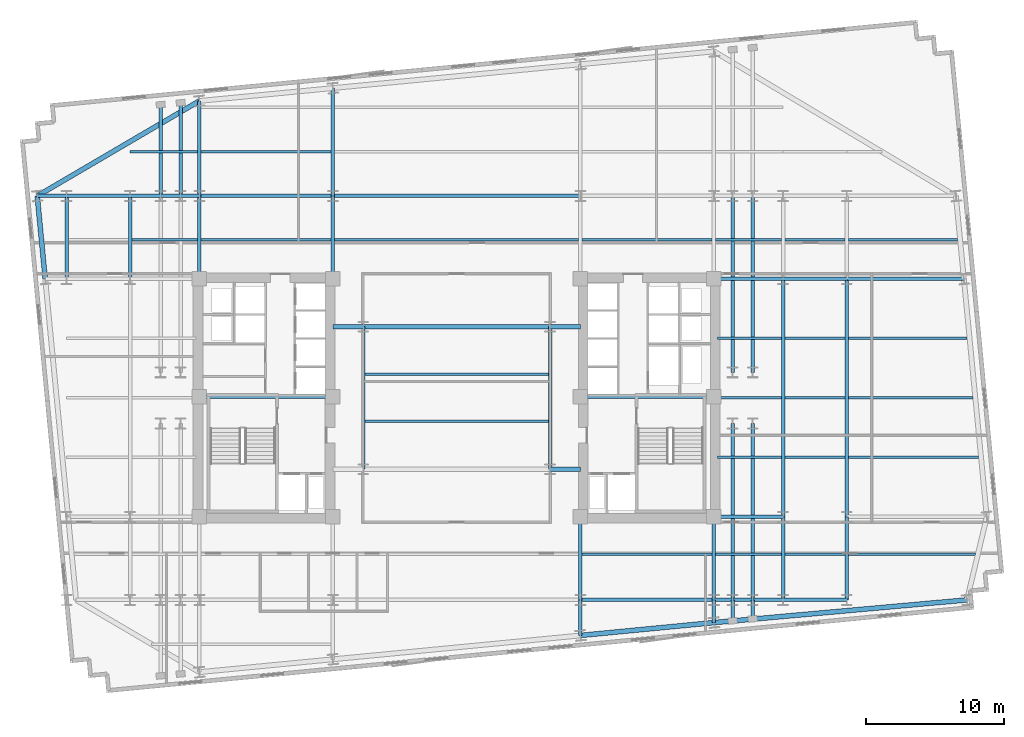
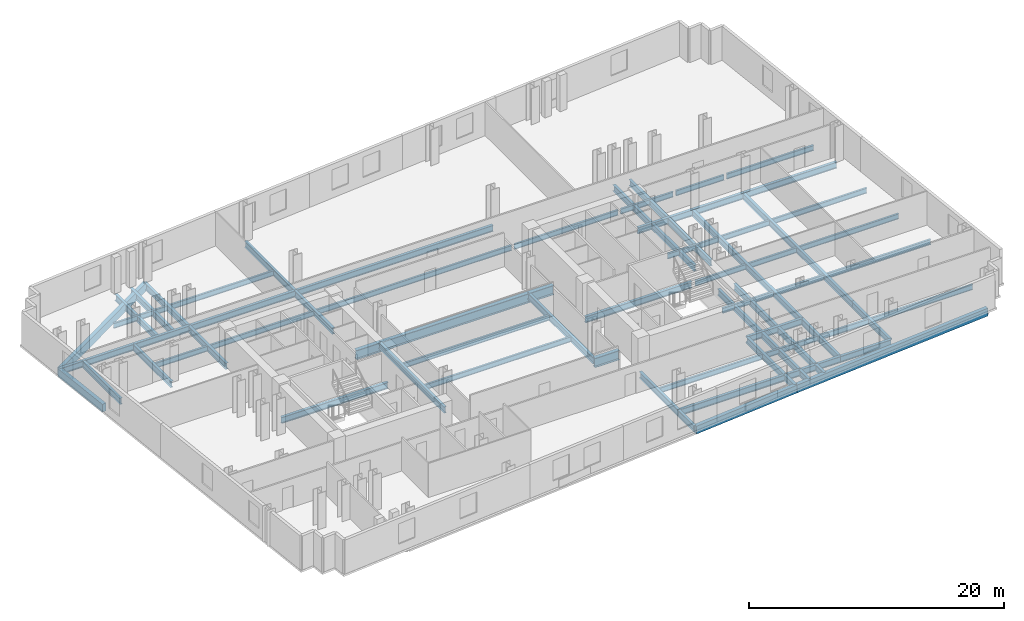
# One storey, part 2 of 10: 70 beams.
"""IFC4 building model written with IfcOpenShell, lengths in metres."""

from ifc_helpers import new_model, si_unit, direction, frame, origin, origin_2d, place, context, subcontext, project, spatial, rectangle, i_section, extrude, material, material_profile, profile_set, type_object, element, save


model = new_model("IFC4")

# Units and contexts
model_context = context("Model", 3, precision=1e-05, world=origin(), true_north=direction((0.0, 1.0)))
body_context = subcontext(model_context, "Body", "Model", "MODEL_VIEW")
ifc_project = project(units=[si_unit("LENGTHUNIT", "METRE"), si_unit("AREAUNIT", "SQUARE_METRE"), si_unit("VOLUMEUNIT", "CUBIC_METRE"), si_unit("PLANEANGLEUNIT", "RADIAN"), si_unit("MASSUNIT", "GRAM", prefix="KILO")], contexts=[model_context])

# Site, building, storey
site_placement = place(None, origin())
site = spatial("IfcSite", under=ifc_project, at=site_placement, CompositionType="ELEMENT")
building_placement = place(site_placement, origin())
building = spatial("IfcBuilding", under=site, at=building_placement, Name="Velakula Bourse", CompositionType="ELEMENT")
storey_placement = place(building_placement, frame((0.0, 0.0, 77.64990234375)))
storey = spatial("IfcBuildingStorey", under=building, at=storey_placement, Name="L20", CompositionType="ELEMENT", Elevation=77.64990234375)

# Beams
ifc_material_1 = material(Name="Steel IS 2062 Grade 350 (E350)", Category="steel")
ifc_material_profile_1 = material_profile(ifc_material_1, i_section(OverallWidth=0.25, OverallDepth=0.60009765625, WebThickness=0.01171875, FlangeThickness=0.023681640625, at=origin_2d()), Name="Steel IS 2062 Grade 350 (E350)")
ifc_profile_set_1 = profile_set([ifc_material_profile_1], Name="Steel IS 2062 Grade 350 (E350)")
beam_type_1 = type_object("IfcBeamType", Name="BM-GRD-600H", PredefinedType="BEAM", material=ifc_profile_set_1)
for number, where, z_axis, x_axis, name in (
    (1, (-18.60009765625, 0.10009765625, -0.47998046875), (1.0, 0.0, 0.0), (0.0, 1.0, 0.0), "L20 Primary Backbone Girder CRW-M"),
    (2, (8.949951171875, 0.10009765625, -0.47998046875), (1.0, 0.0, 0.0), (0.0, 1.0, 0.0), "L20 Primary Backbone Girder CRE-M"),
):
    element("IfcBeam", number, at=place(storey_placement, frame(where, z_axis=z_axis, x_axis=x_axis)), inside=storey, type_object=beam_type_1, Name=name, PredefinedType="BEAM", context=body_context, shape_type="SweptSolid", body=[
        extrude(i_section(OverallWidth=0.25, OverallDepth=0.60009765625, WebThickness=0.01171875, FlangeThickness=0.023681640625, at=origin_2d()), origin(), (0.0, 0.0, 1.0), 9.650146484375),
    ])
for number, where, z_axis, x_axis, name in (
    (3, (-6.75, -5.14990234375, -0.47998046875), (0.0, 1.0, 0.0), (-1.0, 0.0, 0.0), "L20 Primary Backbone Girder SPN-W"),
    (4, (6.75, -5.14990234375, -0.47998046875), (0.0, 1.0, 0.0), (-1.0, 0.0, 0.0), "L20 Primary Backbone Girder SPN-E"),
):
    element("IfcBeam", number, at=place(storey_placement, frame(where, z_axis=z_axis, x_axis=x_axis)), inside=storey, type_object=beam_type_1, Name=name, PredefinedType="BEAM", context=body_context, shape_type="SweptSolid", body=[
        extrude(i_section(OverallWidth=0.25, OverallDepth=0.60009765625, WebThickness=0.01171875, FlangeThickness=0.023681640625, at=origin_2d()), origin(), (0.0, 0.0, 1.0), 10.2998046875),
    ])
for number, where, z_axis, x_axis, name in (
    (5, (-18.60009765625, 8.60009765625, -0.47998046875), (0.0, 1.0, 0.0), (-1.0, 0.0, 0.0), "L20 Fulcrum Grid Girder FLC-WN"),
    (6, (-8.949951171875, 8.60009765625, -0.47998046875), (0.0, 1.0, 0.0), (-1.0, 0.0, 0.0), "L20 Fulcrum Grid Girder FLC-WCN"),
    (7, (8.949951171875, -14.60009765625, -0.47998046875), (0.0, 1.0, 0.0), (-1.0, 0.0, 0.0), "L20 Fulcrum Grid Girder FLC-ECS"),
    (8, (18.60009765625, -14.60009765625, -0.47998046875), (0.0, 1.0, 0.0), (-1.0, 0.0, 0.0), "L20 Fulcrum Grid Girder FLC-ES"),
):
    element("IfcBeam", number, at=place(storey_placement, frame(where, z_axis=z_axis, x_axis=x_axis)), inside=storey, type_object=beam_type_1, Name=name, PredefinedType="BEAM", context=body_context, shape_type="SweptSolid", body=[
        extrude(i_section(OverallWidth=0.25, OverallDepth=0.60009765625, WebThickness=0.01171875, FlangeThickness=0.023681640625, at=origin_2d()), origin(), (0.0, 0.0, 1.0), 6.0),
    ])
for number, where, z_axis, x_axis, name in (
    (9, (8.949951171875, -14.60009765625, -0.47998046875), (1.0, 0.0, 0.0), (0.0, 1.0, 0.0), "L20 Fulcrum Grid Girder FLC-S3"),
    (10, (-18.60009765625, 14.60009765625, -0.47998046875), (1.0, 0.0, 0.0), (0.0, 1.0, 0.0), "L20 Fulcrum Grid Girder FLC-N1"),
):
    element("IfcBeam", number, at=place(storey_placement, frame(where, z_axis=z_axis, x_axis=x_axis)), inside=storey, type_object=beam_type_1, Name=name, PredefinedType="BEAM", context=body_context, shape_type="SweptSolid", body=[
        extrude(i_section(OverallWidth=0.25, OverallDepth=0.60009765625, WebThickness=0.01171875, FlangeThickness=0.023681640625, at=origin_2d()), origin(), (0.0, 0.0, 1.0), 9.650146484375),
    ])
beam_1_placement = place(storey_placement, frame((-8.949951171875, 14.60009765625, -0.47998046875), z_axis=(1.0, 0.0, 0.0), x_axis=(0.0, 1.0, 0.0)))
element("IfcBeam", 11, at=beam_1_placement, inside=storey, type_object=beam_type_1, Name="L20 Fulcrum Grid Girder FLC-N2", PredefinedType="BEAM", context=body_context, shape_type="SweptSolid", body=[
    extrude(i_section(OverallWidth=0.25, OverallDepth=0.60009765625, WebThickness=0.01171875, FlangeThickness=0.023681640625, at=origin_2d()), origin(), (0.0, 0.0, 1.0), 17.89990234375),
])
for number, where, z_axis, x_axis, name in (
    (12, (19.949951171875, -14.60009765625, -0.47998046875), (0.0, 1.0, 0.0), (-1.0, 0.0, 0.0), "L20 Fulcrum Grid Girder FLC-PSE1"),
    (13, (19.949951171875, 1.85009765625, -0.47998046875), (0.0, 1.0, 0.0), (-1.0, 0.0, 0.0), "L20 Fulcrum Grid Girder FLC-PNE1"),
    (14, (21.39990234375, -14.60009765625, -0.47998046875), (0.0, 1.0, 0.0), (-1.0, 0.0, 0.0), "L20 Fulcrum Grid Girder FLC-PSE2"),
    (15, (21.39990234375, 1.85009765625, -0.47998046875), (0.0, 1.0, 0.0), (-1.0, 0.0, 0.0), "L20 Fulcrum Grid Girder FLC-PNE2"),
):
    element("IfcBeam", number, at=place(storey_placement, frame(where, z_axis=z_axis, x_axis=x_axis)), inside=storey, type_object=beam_type_1, Name=name, PredefinedType="BEAM", context=body_context, shape_type="SweptSolid", body=[
        extrude(i_section(OverallWidth=0.25, OverallDepth=0.60009765625, WebThickness=0.01171875, FlangeThickness=0.023681640625, at=origin_2d()), origin(), (0.0, 0.0, 1.0), 12.75),
    ])
beam_2_placement = place(storey_placement, frame((-23.60009765625, 14.60009765625, -0.47998046875), z_axis=(1.0, 0.0, 0.0), x_axis=(0.0, 1.0, 0.0)))
element("IfcBeam", 16, at=beam_2_placement, inside=storey, type_object=beam_type_1, Name="L20 Fulcrum Grid Girder MWG-WN2", PredefinedType="BEAM", context=body_context, shape_type="SweptSolid", body=[
    extrude(i_section(OverallWidth=0.25, OverallDepth=0.60009765625, WebThickness=0.01171875, FlangeThickness=0.023681640625, at=origin_2d()), origin(), (0.0, 0.0, 1.0), 5.0),
])
beam_3_placement = place(storey_placement, frame((-23.60009765625, 8.60009765625, -0.47998046875), z_axis=(0.0, 1.0, 0.0), x_axis=(-1.0, 0.0, 0.0)))
element("IfcBeam", 17, at=beam_3_placement, inside=storey, type_object=beam_type_1, Name="L20 Fulcrum Grid Girder MWG-WNS3", PredefinedType="BEAM", context=body_context, shape_type="SweptSolid", body=[
    extrude(i_section(OverallWidth=0.25, OverallDepth=0.60009765625, WebThickness=0.01171875, FlangeThickness=0.023681640625, at=origin_2d()), origin(), (0.0, 0.0, 1.0), 6.0),
])
for number, where, z_axis, x_axis, name in (
    (18, (18.60009765625, -14.60009765625, -0.47998046875), (1.0, 0.0, 0.0), (0.0, 1.0, 0.0), "L20 Fulcrum Grid Girder MWG-ES1"),
    (19, (18.60009765625, -8.60009765625, -0.47998046875), (1.0, 0.0, 0.0), (0.0, 1.0, 0.0), "L20 Fulcrum Grid Girder MWG-ES2"),
    (20, (18.60009765625, 8.60009765625, -0.47998046875), (1.0, 0.0, 0.0), (0.0, 1.0, 0.0), "L20 Fulcrum Grid Girder MWG-EN1"),
):
    element("IfcBeam", number, at=place(storey_placement, frame(where, z_axis=z_axis, x_axis=x_axis)), inside=storey, type_object=beam_type_1, Name=name, PredefinedType="BEAM", context=body_context, shape_type="SweptSolid", body=[
        extrude(i_section(OverallWidth=0.25, OverallDepth=0.60009765625, WebThickness=0.01171875, FlangeThickness=0.023681640625, at=origin_2d()), origin(), (0.0, 0.0, 1.0), 5.0),
    ])
beam_4_placement = place(storey_placement, frame((23.60009765625, -14.60009765625, -0.47998046875), z_axis=(0.0, 1.0, 0.0), x_axis=(-1.0, 0.0, 0.0)))
element("IfcBeam", 21, at=beam_4_placement, inside=storey, type_object=beam_type_1, Name="L20 Fulcrum Grid Girder MWG-ENS1", PredefinedType="BEAM", context=body_context, shape_type="SweptSolid", body=[
    extrude(i_section(OverallWidth=0.25, OverallDepth=0.60009765625, WebThickness=0.01171875, FlangeThickness=0.023681640625, at=origin_2d()), origin(), (0.0, 0.0, 1.0), 6.0),
])
beam_5_placement = place(storey_placement, frame((23.60009765625, -8.60009765625, -0.47998046875), z_axis=(0.0, 1.0, 0.0), x_axis=(-1.0, 0.0, 0.0)))
element("IfcBeam", 22, at=beam_5_placement, inside=storey, type_object=beam_type_1, Name="L20 Fulcrum Grid Girder MWG-ENS2", PredefinedType="BEAM", context=body_context, shape_type="SweptSolid", body=[
    extrude(i_section(OverallWidth=0.25, OverallDepth=0.60009765625, WebThickness=0.01171875, FlangeThickness=0.023681640625, at=origin_2d()), origin(), (0.0, 0.0, 1.0), 17.2001953125),
])
beam_6_placement = place(storey_placement, frame((-28.199951171875, 14.60009765625, -0.47998046875), z_axis=(1.0, 0.0, 0.0), x_axis=(0.0, 1.0, 0.0)))
element("IfcBeam", 23, at=beam_6_placement, inside=storey, type_object=beam_type_1, Name="L20 Fulcrum Grid Girder WNG-WN2", PredefinedType="BEAM", context=body_context, shape_type="SweptSolid", body=[
    extrude(i_section(OverallWidth=0.25, OverallDepth=0.60009765625, WebThickness=0.01171875, FlangeThickness=0.023681640625, at=origin_2d()), origin(), (0.0, 0.0, 1.0), 4.599853515625),
])
beam_7_placement = place(storey_placement, frame((-28.199951171875, 8.60009765625, -0.47998046875), z_axis=(0.0, 1.0, 0.0), x_axis=(-1.0, 0.0, 0.0)))
element("IfcBeam", 24, at=beam_7_placement, inside=storey, type_object=beam_type_1, Name="L20 Fulcrum Grid Girder WNG-WNS3", PredefinedType="BEAM", context=body_context, shape_type="SweptSolid", body=[
    extrude(i_section(OverallWidth=0.25, OverallDepth=0.60009765625, WebThickness=0.01171875, FlangeThickness=0.023681640625, at=origin_2d()), origin(), (0.0, 0.0, 1.0), 6.0),
])
for number, where, z_axis, x_axis, name in (
    (25, (23.60009765625, -14.60009765625, -0.47998046875), (1.0, 0.0, 0.0), (0.0, 1.0, 0.0), "L20 Fulcrum Grid Girder WNG-ES1"),
    (26, (23.60009765625, 8.60009765625, -0.47998046875), (1.0, 0.0, 0.0), (0.0, 1.0, 0.0), "L20 Fulcrum Grid Girder WNG-EN1"),
):
    element("IfcBeam", number, at=place(storey_placement, frame(where, z_axis=z_axis, x_axis=x_axis)), inside=storey, type_object=beam_type_1, Name=name, PredefinedType="BEAM", context=body_context, shape_type="SweptSolid", body=[
        extrude(i_section(OverallWidth=0.25, OverallDepth=0.60009765625, WebThickness=0.01171875, FlangeThickness=0.023681640625, at=origin_2d()), origin(), (0.0, 0.0, 1.0), 4.599853515625),
    ])
beam_8_placement = place(storey_placement, frame((28.199951171875, -14.60009765625, -0.47998046875), z_axis=(0.0, 1.0, 0.0), x_axis=(-1.0, 0.0, 0.0)))
element("IfcBeam", 27, at=beam_8_placement, inside=storey, type_object=beam_type_1, Name="L20 Fulcrum Grid Girder WNG-ENS1", PredefinedType="BEAM", context=body_context, shape_type="SweptSolid", body=[
    extrude(i_section(OverallWidth=0.25, OverallDepth=0.60009765625, WebThickness=0.01171875, FlangeThickness=0.023681640625, at=origin_2d()), origin(), (0.0, 0.0, 1.0), 6.0),
])
beam_9_placement = place(storey_placement, frame((28.199951171875, -8.60009765625, -0.47998046875), z_axis=(0.0, 1.0, 0.0), x_axis=(-1.0, 0.0, 0.0)))
element("IfcBeam", 28, at=beam_9_placement, inside=storey, type_object=beam_type_1, Name="L20 Fulcrum Grid Girder WNG-ENS2", PredefinedType="BEAM", context=body_context, shape_type="SweptSolid", body=[
    extrude(i_section(OverallWidth=0.25, OverallDepth=0.60009765625, WebThickness=0.01171875, FlangeThickness=0.023681640625, at=origin_2d()), origin(), (0.0, 0.0, 1.0), 17.2001953125),
])
beam_10_placement = place(storey_placement, frame((8.949951171875, -14.60009765625, -0.47998046875), z_axis=(0.0, -1.0, 0.0), x_axis=(1.0, 0.0, 0.0)))
element("IfcBeam", 29, at=beam_10_placement, inside=storey, type_object=beam_type_1, Name="L20 Perimeter Tie Girder S3", PredefinedType="BEAM", context=body_context, shape_type="SweptSolid", body=[
    extrude(i_section(OverallWidth=0.25, OverallDepth=0.60009765625, WebThickness=0.01171875, FlangeThickness=0.023681640625, at=origin_2d()), origin(), (0.0, 0.0, 1.0), 2.568359375),
])
beam_11_placement = place(storey_placement, frame((18.60009765625, -14.60009765625, -0.47998046875), z_axis=(0.0, -1.0, 0.0), x_axis=(1.0, 0.0, 0.0)))
element("IfcBeam", 30, at=beam_11_placement, inside=storey, type_object=beam_type_1, Name="L20 Perimeter Tie Girder S4", PredefinedType="BEAM", context=body_context, shape_type="SweptSolid", body=[
    extrude(i_section(OverallWidth=0.25, OverallDepth=0.60009765625, WebThickness=0.01171875, FlangeThickness=0.023681640625, at=origin_2d()), origin(), (0.0, 0.0, 1.0), 1.63916015625),
])
beam_12_placement = place(storey_placement, frame((-18.60009765625, 14.60009765625, -0.47998046875), z_axis=(0.0, 1.0, 0.0), x_axis=(-1.0, 0.0, 0.0)))
element("IfcBeam", 31, at=beam_12_placement, inside=storey, type_object=beam_type_1, Name="L20 Perimeter Tie Girder N1", PredefinedType="BEAM", context=body_context, shape_type="SweptSolid", body=[
    extrude(i_section(OverallWidth=0.25, OverallDepth=0.60009765625, WebThickness=0.01171875, FlangeThickness=0.023681640625, at=origin_2d()), origin(), (0.0, 0.0, 1.0), 6.868896484375),
])
beam_13_placement = place(storey_placement, frame((-8.949951171875, 14.60009765625, -0.47998046875), z_axis=(0.0, 1.0, 0.0), x_axis=(-1.0, 0.0, 0.0)))
element("IfcBeam", 32, at=beam_13_placement, inside=storey, type_object=beam_type_1, Name="L20 Perimeter Tie Girder N2", PredefinedType="BEAM", context=body_context, shape_type="SweptSolid", body=[
    extrude(i_section(OverallWidth=0.25, OverallDepth=0.60009765625, WebThickness=0.01171875, FlangeThickness=0.023681640625, at=origin_2d()), origin(), (0.0, 0.0, 1.0), 7.798095703125),
])
beam_14_placement = place(storey_placement, frame((-28.199951171875, 14.60009765625, -0.47998046875), z_axis=(-1.0, 0.0, 0.0), x_axis=(0.0, -1.0, 0.0)))
element("IfcBeam", 33, at=beam_14_placement, inside=storey, type_object=beam_type_1, Name="L20 Perimeter Tie Girder W4", PredefinedType="BEAM", context=body_context, shape_type="SweptSolid", body=[
    extrude(i_section(OverallWidth=0.25, OverallDepth=0.60009765625, WebThickness=0.01171875, FlangeThickness=0.023681640625, at=origin_2d()), origin(), (0.0, 0.0, 1.0), 2.119873046875),
])
beam_15_placement = place(storey_placement, frame((28.199951171875, 8.60009765625, -0.47998046875), z_axis=(1.0, 0.0, 0.0), x_axis=(0.0, 1.0, 0.0)))
element("IfcBeam", 34, at=beam_15_placement, inside=storey, type_object=beam_type_1, Name="L20 Perimeter Tie Girder E3", PredefinedType="BEAM", context=body_context, shape_type="SweptSolid", body=[
    extrude(i_section(OverallWidth=0.25, OverallDepth=0.60009765625, WebThickness=0.01171875, FlangeThickness=0.023681640625, at=origin_2d()), origin(), (0.0, 0.0, 1.0), 8.463623046875),
])
beam_16_placement = place(storey_placement, frame((19.949951171875, -14.60009765625, -0.47998046875), z_axis=(0.0, -1.0, 0.0), x_axis=(1.0, 0.0, 0.0)))
element("IfcBeam", 35, at=beam_16_placement, inside=storey, type_object=beam_type_1, Name="L20 Perimeter Tie Girder P03", PredefinedType="BEAM", context=body_context, shape_type="SweptSolid", body=[
    extrude(i_section(OverallWidth=0.25, OverallDepth=0.60009765625, WebThickness=0.01171875, FlangeThickness=0.023681640625, at=origin_2d()), origin(), (0.0, 0.0, 1.0), 1.509033203125),
])
beam_17_placement = place(storey_placement, frame((21.39990234375, -14.60009765625, -0.47998046875), z_axis=(0.0, -1.0, 0.0), x_axis=(1.0, 0.0, 0.0)))
element("IfcBeam", 36, at=beam_17_placement, inside=storey, type_object=beam_type_1, Name="L20 Perimeter Tie Girder P04", PredefinedType="BEAM", context=body_context, shape_type="SweptSolid", body=[
    extrude(i_section(OverallWidth=0.25, OverallDepth=0.60009765625, WebThickness=0.01171875, FlangeThickness=0.023681640625, at=origin_2d()), origin(), (0.0, 0.0, 1.0), 1.369384765625),
])
beam_18_placement = place(storey_placement, frame((-21.39990234375, 14.60009765625, -0.47998046875), z_axis=(0.0, 1.0, 0.0), x_axis=(-1.0, 0.0, 0.0)))
element("IfcBeam", 37, at=beam_18_placement, inside=storey, type_object=beam_type_1, Name="L20 Perimeter Tie Girder P05", PredefinedType="BEAM", context=body_context, shape_type="SweptSolid", body=[
    extrude(i_section(OverallWidth=0.25, OverallDepth=0.60009765625, WebThickness=0.01171875, FlangeThickness=0.023681640625, at=origin_2d()), origin(), (0.0, 0.0, 1.0), 6.59912109375),
])
beam_19_placement = place(storey_placement, frame((-19.949951171875, 14.60009765625, -0.47998046875), z_axis=(0.0, 1.0, 0.0), x_axis=(-1.0, 0.0, 0.0)))
element("IfcBeam", 38, at=beam_19_placement, inside=storey, type_object=beam_type_1, Name="L20 Perimeter Tie Girder P06", PredefinedType="BEAM", context=body_context, shape_type="SweptSolid", body=[
    extrude(i_section(OverallWidth=0.25, OverallDepth=0.60009765625, WebThickness=0.01171875, FlangeThickness=0.023681640625, at=origin_2d()), origin(), (0.0, 0.0, 1.0), 6.73876953125),
])
ifc_material_profile_2 = material_profile(ifc_material_1, i_section(OverallWidth=0.35009765625, OverallDepth=0.89990234375, WebThickness=0.02001953125, FlangeThickness=0.031982421875, at=origin_2d()), Name="Steel IS 2062 Grade 350 (E350)")
ifc_profile_set_2 = profile_set([ifc_material_profile_2], Name="Steel IS 2062 Grade 350 (E350)")
beam_type_2 = type_object("IfcBeamType", Name="BM-LNK-900", PredefinedType="BEAM", material=ifc_profile_set_2)
for number, where, z_axis, x_axis, name in (
    (39, (6.75, -5.14990234375, -0.6298828125), (1.0, 0.0, 0.0), (0.0, 1.0, 0.0), "L20 Primary Backbone Girder LNK-S3"),
    (40, (-8.949951171875, 5.14990234375, -0.6298828125), (1.0, 0.0, 0.0), (0.0, 1.0, 0.0), "L20 Primary Backbone Girder LNK-N1"),
):
    element("IfcBeam", number, at=place(storey_placement, frame(where, z_axis=z_axis, x_axis=x_axis)), inside=storey, type_object=beam_type_2, Name=name, PredefinedType="BEAM", context=body_context, shape_type="SweptSolid", body=[
        extrude(i_section(OverallWidth=0.35009765625, OverallDepth=0.89990234375, WebThickness=0.02001953125, FlangeThickness=0.031982421875, at=origin_2d()), origin(), (0.0, 0.0, 1.0), 2.199951171875),
    ])
beam_20_placement = place(storey_placement, frame((-6.75, 5.14990234375, -0.6298828125), z_axis=(1.0, 0.0, 0.0), x_axis=(0.0, 1.0, 0.0)))
element("IfcBeam", 41, at=beam_20_placement, inside=storey, type_object=beam_type_2, Name="L20 Primary Backbone Girder LNK-N2", PredefinedType="BEAM", context=body_context, shape_type="SweptSolid", body=[
    extrude(i_section(OverallWidth=0.35009765625, OverallDepth=0.89990234375, WebThickness=0.02001953125, FlangeThickness=0.031982421875, at=origin_2d()), origin(), (0.0, 0.0, 1.0), 13.5),
])
beam_21_placement = place(storey_placement, frame((6.75, 5.14990234375, -0.6298828125), z_axis=(1.0, 0.0, 0.0), x_axis=(0.0, 1.0, 0.0)))
element("IfcBeam", 42, at=beam_21_placement, inside=storey, type_object=beam_type_2, Name="L20 Primary Backbone Girder LNK-N3", PredefinedType="BEAM", context=body_context, shape_type="SweptSolid", body=[
    extrude(i_section(OverallWidth=0.35009765625, OverallDepth=0.89990234375, WebThickness=0.02001953125, FlangeThickness=0.031982421875, at=origin_2d()), origin(), (0.0, 0.0, 1.0), 2.199951171875),
])
ifc_material_profile_3 = material_profile(ifc_material_1, i_section(OverallWidth=0.179931640625, OverallDepth=0.5, WebThickness=0.01025390625, FlangeThickness=0.01708984375, at=origin_2d()), Name="Steel IS 2062 Grade 350 (E350)")
ifc_profile_set_3 = profile_set([ifc_material_profile_3], Name="Steel IS 2062 Grade 350 (E350)")
beam_type_3 = type_object("IfcBeamType", Name="JST-TWR-500", PredefinedType="JOIST", material=ifc_profile_set_3)
beam_22_placement = place(storey_placement, frame((9.074951171875, -11.300048828125, -0.429931640625), z_axis=(1.0, 0.0, 0.0), x_axis=(0.0, 1.0, 0.0)))
element("IfcBeam", 43, at=beam_22_placement, inside=storey, type_object=beam_type_3, Name="L20 Trading Floor Composite Joist 08", PredefinedType="JOIST", context=body_context, shape_type="SweptSolid", body=[
    extrude(i_section(OverallWidth=0.179931640625, OverallDepth=0.5, WebThickness=0.01025390625, FlangeThickness=0.01708984375, at=origin_2d()), origin(), (0.0, 0.0, 1.0), 9.400146484375),
])
beam_23_placement = place(storey_placement, frame((18.72509765625, -11.300048828125, -0.429931640625), z_axis=(1.0, 0.0, 0.0), x_axis=(0.0, 1.0, 0.0)))
element("IfcBeam", 44, at=beam_23_placement, inside=storey, type_object=beam_type_3, Name="L20 Trading Floor Composite Joist 09", PredefinedType="JOIST", context=body_context, shape_type="SweptSolid", body=[
    extrude(i_section(OverallWidth=0.179931640625, OverallDepth=0.5, WebThickness=0.01025390625, FlangeThickness=0.01708984375, at=origin_2d()), origin(), (0.0, 0.0, 1.0), 4.75),
])
beam_24_placement = place(storey_placement, frame((23.72509765625, -11.300048828125, -0.429931640625), z_axis=(1.0, 0.0, 0.0), x_axis=(0.0, 1.0, 0.0)))
element("IfcBeam", 45, at=beam_24_placement, inside=storey, type_object=beam_type_3, Name="L20 Trading Floor Composite Joist 10", PredefinedType="JOIST", context=body_context, shape_type="SweptSolid", body=[
    extrude(i_section(OverallWidth=0.179931640625, OverallDepth=0.5, WebThickness=0.01025390625, FlangeThickness=0.01708984375, at=origin_2d()), origin(), (0.0, 0.0, 1.0), 4.349853515625),
])
beam_25_placement = place(storey_placement, frame((28.324951171875, -11.300048828125, -0.429931640625), z_axis=(1.0, 0.0, 0.0), x_axis=(0.0, 1.0, 0.0)))
element("IfcBeam", 46, at=beam_25_placement, inside=storey, type_object=beam_type_3, Name="L20 Trading Floor Composite Joist 11", PredefinedType="JOIST", context=body_context, shape_type="SweptSolid", body=[
    extrude(i_section(OverallWidth=0.179931640625, OverallDepth=0.5, WebThickness=0.01025390625, FlangeThickness=0.01708984375, at=origin_2d()), origin(), (0.0, 0.0, 1.0), 9.170654296875),
])
beam_26_placement = place(storey_placement, frame((-23.47509765625, 11.449951171875, -0.429931640625), z_axis=(1.0, 0.0, 0.0), x_axis=(0.0, 1.0, 0.0)))
element("IfcBeam", 47, at=beam_26_placement, inside=storey, type_object=beam_type_3, Name="L20 Trading Floor Composite Joist 13", PredefinedType="JOIST", context=body_context, shape_type="SweptSolid", body=[
    extrude(i_section(OverallWidth=0.179931640625, OverallDepth=0.5, WebThickness=0.01025390625, FlangeThickness=0.01708984375, at=origin_2d()), origin(), (0.0, 0.0, 1.0), 4.75),
])
beam_27_placement = place(storey_placement, frame((-18.47509765625, 11.449951171875, -0.429931640625), z_axis=(1.0, 0.0, 0.0), x_axis=(0.0, 1.0, 0.0)))
element("IfcBeam", 48, at=beam_27_placement, inside=storey, type_object=beam_type_3, Name="L20 Trading Floor Composite Joist 14", PredefinedType="JOIST", context=body_context, shape_type="SweptSolid", body=[
    extrude(i_section(OverallWidth=0.179931640625, OverallDepth=0.5, WebThickness=0.01025390625, FlangeThickness=0.01708984375, at=origin_2d()), origin(), (0.0, 0.0, 1.0), 9.400146484375),
])
beam_28_placement = place(storey_placement, frame((-8.824951171875, 11.449951171875, -0.429931640625), z_axis=(1.0, 0.0, 0.0), x_axis=(0.0, 1.0, 0.0)))
element("IfcBeam", 49, at=beam_28_placement, inside=storey, type_object=beam_type_3, Name="L20 Trading Floor Composite Joist 15", PredefinedType="JOIST", context=body_context, shape_type="SweptSolid", body=[
    extrude(i_section(OverallWidth=0.179931640625, OverallDepth=0.5, WebThickness=0.01025390625, FlangeThickness=0.01708984375, at=origin_2d()), origin(), (0.0, 0.0, 1.0), 17.64990234375),
])
beam_29_placement = place(storey_placement, frame((9.074951171875, 11.449951171875, -0.429931640625), z_axis=(1.0, 0.0, 0.0), x_axis=(0.0, 1.0, 0.0)))
element("IfcBeam", 50, at=beam_29_placement, inside=storey, type_object=beam_type_3, Name="L20 Trading Floor Composite Joist 16", PredefinedType="JOIST", context=body_context, shape_type="SweptSolid", body=[
    extrude(i_section(OverallWidth=0.179931640625, OverallDepth=0.5, WebThickness=0.01025390625, FlangeThickness=0.01708984375, at=origin_2d()), origin(), (0.0, 0.0, 1.0), 9.400146484375),
])
beam_30_placement = place(storey_placement, frame((18.72509765625, 11.449951171875, -0.429931640625), z_axis=(1.0, 0.0, 0.0), x_axis=(0.0, 1.0, 0.0)))
element("IfcBeam", 51, at=beam_30_placement, inside=storey, type_object=beam_type_3, Name="L20 Trading Floor Composite Joist 17", PredefinedType="JOIST", context=body_context, shape_type="SweptSolid", body=[
    extrude(i_section(OverallWidth=0.179931640625, OverallDepth=0.5, WebThickness=0.01025390625, FlangeThickness=0.01708984375, at=origin_2d()), origin(), (0.0, 0.0, 1.0), 4.75),
])
beam_31_placement = place(storey_placement, frame((23.72509765625, 11.449951171875, -0.429931640625), z_axis=(1.0, 0.0, 0.0), x_axis=(0.0, 1.0, 0.0)))
element("IfcBeam", 52, at=beam_31_placement, inside=storey, type_object=beam_type_3, Name="L20 Trading Floor Composite Joist 18", PredefinedType="JOIST", context=body_context, shape_type="SweptSolid", body=[
    extrude(i_section(OverallWidth=0.179931640625, OverallDepth=0.5, WebThickness=0.01025390625, FlangeThickness=0.01708984375, at=origin_2d()), origin(), (0.0, 0.0, 1.0), 4.349853515625),
])
beam_32_placement = place(storey_placement, frame((28.324951171875, 11.449951171875, -0.429931640625), z_axis=(1.0, 0.0, 0.0), x_axis=(0.0, 1.0, 0.0)))
element("IfcBeam", 53, at=beam_32_placement, inside=storey, type_object=beam_type_3, Name="L20 Trading Floor Composite Joist 19", PredefinedType="JOIST", context=body_context, shape_type="SweptSolid", body=[
    extrude(i_section(OverallWidth=0.179931640625, OverallDepth=0.5, WebThickness=0.01025390625, FlangeThickness=0.01708984375, at=origin_2d()), origin(), (0.0, 0.0, 1.0), 7.888427734375),
])
beam_33_placement = place(storey_placement, frame((-23.60009765625, 17.800048828125, -0.429931640625), z_axis=(1.0, 0.0, 0.0), x_axis=(0.0, 1.0, 0.0)))
element("IfcBeam", 54, at=beam_33_placement, inside=storey, type_object=beam_type_3, Name="L20 Trading Floor Composite Joist 20", PredefinedType="JOIST", context=body_context, shape_type="SweptSolid", body=[
    extrude(i_section(OverallWidth=0.179931640625, OverallDepth=0.5, WebThickness=0.01025390625, FlangeThickness=0.01708984375, at=origin_2d()), origin(), (0.0, 0.0, 1.0), 4.875),
])
beam_34_placement = place(storey_placement, frame((-18.47509765625, 17.800048828125, -0.429931640625), z_axis=(1.0, 0.0, 0.0), x_axis=(0.0, 1.0, 0.0)))
element("IfcBeam", 55, at=beam_34_placement, inside=storey, type_object=beam_type_3, Name="L20 Trading Floor Composite Joist 21", PredefinedType="JOIST", context=body_context, shape_type="SweptSolid", body=[
    extrude(i_section(OverallWidth=0.179931640625, OverallDepth=0.5, WebThickness=0.01025390625, FlangeThickness=0.01708984375, at=origin_2d()), origin(), (0.0, 0.0, 1.0), 9.400146484375),
])
for number, where, z_axis, x_axis, name in (
    (56, (-6.625, -1.699951171875, -0.429931640625), (1.0, 0.0, 0.0), (0.0, 1.0, 0.0), "L20 Trading Floor Composite Joist 31"),
    (57, (-6.625, 1.699951171875, -0.429931640625), (1.0, 0.0, 0.0), (0.0, 1.0, 0.0), "L20 Trading Floor Composite Joist 32"),
):
    element("IfcBeam", number, at=place(storey_placement, frame(where, z_axis=z_axis, x_axis=x_axis)), inside=storey, type_object=beam_type_3, Name=name, PredefinedType="JOIST", context=body_context, shape_type="SweptSolid", body=[
        extrude(i_section(OverallWidth=0.179931640625, OverallDepth=0.5, WebThickness=0.01025390625, FlangeThickness=0.01708984375, at=origin_2d()), origin(), (0.0, 0.0, 1.0), 13.25),
    ])
beam_35_placement = place(storey_placement, frame((18.85009765625, -4.300048828125, -0.429931640625), z_axis=(1.0, 0.0, 0.0), x_axis=(0.0, 1.0, 0.0)))
element("IfcBeam", 58, at=beam_35_placement, inside=storey, type_object=beam_type_3, Name="L20 Trading Floor Composite Joist 35", PredefinedType="JOIST", context=body_context, shape_type="SweptSolid", body=[
    extrude(i_section(OverallWidth=0.179931640625, OverallDepth=0.5, WebThickness=0.01025390625, FlangeThickness=0.01708984375, at=origin_2d()), origin(), (0.0, 0.0, 1.0), 4.625),
])
beam_36_placement = place(storey_placement, frame((23.72509765625, -4.300048828125, -0.429931640625), z_axis=(1.0, 0.0, 0.0), x_axis=(0.0, 1.0, 0.0)))
element("IfcBeam", 59, at=beam_36_placement, inside=storey, type_object=beam_type_3, Name="L20 Trading Floor Composite Joist 36", PredefinedType="JOIST", context=body_context, shape_type="SweptSolid", body=[
    extrude(i_section(OverallWidth=0.179931640625, OverallDepth=0.5, WebThickness=0.01025390625, FlangeThickness=0.01708984375, at=origin_2d()), origin(), (0.0, 0.0, 1.0), 4.349853515625),
])
beam_37_placement = place(storey_placement, frame((28.324951171875, -4.300048828125, -0.429931640625), z_axis=(1.0, 0.0, 0.0), x_axis=(0.0, 1.0, 0.0)))
element("IfcBeam", 60, at=beam_37_placement, inside=storey, type_object=beam_type_3, Name="L20 Trading Floor Composite Joist 37", PredefinedType="JOIST", context=body_context, shape_type="SweptSolid", body=[
    extrude(i_section(OverallWidth=0.179931640625, OverallDepth=0.5, WebThickness=0.01025390625, FlangeThickness=0.01708984375, at=origin_2d()), origin(), (0.0, 0.0, 1.0), 9.405029296875),
])
beam_38_placement = place(storey_placement, frame((18.85009765625, 0.0, -0.429931640625), z_axis=(1.0, 0.0, 0.0), x_axis=(0.0, 1.0, 0.0)))
element("IfcBeam", 61, at=beam_38_placement, inside=storey, type_object=beam_type_3, Name="L20 Trading Floor Composite Joist 40", PredefinedType="JOIST", context=body_context, shape_type="SweptSolid", body=[
    extrude(i_section(OverallWidth=0.179931640625, OverallDepth=0.5, WebThickness=0.01025390625, FlangeThickness=0.01708984375, at=origin_2d()), origin(), (0.0, 0.0, 1.0), 4.625),
])
beam_39_placement = place(storey_placement, frame((23.72509765625, 0.0, -0.429931640625), z_axis=(1.0, 0.0, 0.0), x_axis=(0.0, 1.0, 0.0)))
element("IfcBeam", 62, at=beam_39_placement, inside=storey, type_object=beam_type_3, Name="L20 Trading Floor Composite Joist 41", PredefinedType="JOIST", context=body_context, shape_type="SweptSolid", body=[
    extrude(i_section(OverallWidth=0.179931640625, OverallDepth=0.5, WebThickness=0.01025390625, FlangeThickness=0.01708984375, at=origin_2d()), origin(), (0.0, 0.0, 1.0), 4.349853515625),
])
beam_40_placement = place(storey_placement, frame((28.324951171875, 0.0, -0.429931640625), z_axis=(1.0, 0.0, 0.0), x_axis=(0.0, 1.0, 0.0)))
element("IfcBeam", 63, at=beam_40_placement, inside=storey, type_object=beam_type_3, Name="L20 Trading Floor Composite Joist 42", PredefinedType="JOIST", context=body_context, shape_type="SweptSolid", body=[
    extrude(i_section(OverallWidth=0.179931640625, OverallDepth=0.5, WebThickness=0.01025390625, FlangeThickness=0.01708984375, at=origin_2d()), origin(), (0.0, 0.0, 1.0), 8.990966796875),
])
beam_41_placement = place(storey_placement, frame((18.85009765625, 4.300048828125, -0.429931640625), z_axis=(1.0, 0.0, 0.0), x_axis=(0.0, 1.0, 0.0)))
element("IfcBeam", 64, at=beam_41_placement, inside=storey, type_object=beam_type_3, Name="L20 Trading Floor Composite Joist 45", PredefinedType="JOIST", context=body_context, shape_type="SweptSolid", body=[
    extrude(i_section(OverallWidth=0.179931640625, OverallDepth=0.5, WebThickness=0.01025390625, FlangeThickness=0.01708984375, at=origin_2d()), origin(), (0.0, 0.0, 1.0), 4.625),
])
beam_42_placement = place(storey_placement, frame((23.72509765625, 4.300048828125, -0.429931640625), z_axis=(1.0, 0.0, 0.0), x_axis=(0.0, 1.0, 0.0)))
element("IfcBeam", 65, at=beam_42_placement, inside=storey, type_object=beam_type_3, Name="L20 Trading Floor Composite Joist 46", PredefinedType="JOIST", context=body_context, shape_type="SweptSolid", body=[
    extrude(i_section(OverallWidth=0.179931640625, OverallDepth=0.5, WebThickness=0.01025390625, FlangeThickness=0.01708984375, at=origin_2d()), origin(), (0.0, 0.0, 1.0), 4.349853515625),
])
beam_43_placement = place(storey_placement, frame((28.324951171875, 4.300048828125, -0.429931640625), z_axis=(1.0, 0.0, 0.0), x_axis=(0.0, 1.0, 0.0)))
element("IfcBeam", 66, at=beam_43_placement, inside=storey, type_object=beam_type_3, Name="L20 Trading Floor Composite Joist 47", PredefinedType="JOIST", context=body_context, shape_type="SweptSolid", body=[
    extrude(i_section(OverallWidth=0.179931640625, OverallDepth=0.5, WebThickness=0.01025390625, FlangeThickness=0.01708984375, at=origin_2d()), origin(), (0.0, 0.0, 1.0), 8.576904296875),
])
ifc_material_2 = material(Name="Precast concrete M45 (fck 45 MPa)", Category="concrete")
ifc_material_profile_4 = material_profile(ifc_material_2, rectangle(XDim=0.35009765625, YDim=0.75, at=origin_2d()), Name="Precast concrete M45 (fck 45 MPa)")
ifc_profile_set_4 = profile_set([ifc_material_profile_4], Name="Precast concrete M45 (fck 45 MPa)")
beam_type_4 = type_object("IfcBeamType", Name="SPN-BRICK-750", PredefinedType="SPANDREL", material=ifc_profile_set_4)
beam_44_placement = place(storey_placement, frame((8.949951171875, -17.16845703125, -0.554931640625), z_axis=(0.99539623971, 0.095845323155, 0.0), x_axis=(-0.095845323155, 0.99539623971, 0.0)))
element("IfcBeam", 67, at=beam_44_placement, inside=storey, type_object=beam_type_4, Name="L20 Brick-Faced Precast Spandrel S3-S4", PredefinedType="SPANDREL", context=body_context, shape_type="SweptSolid", body=[
    extrude(rectangle(XDim=0.35009765625, YDim=0.75, at=origin_2d()), origin(), (0.0, 0.0, 1.0), 9.69482421875),
])
beam_45_placement = place(storey_placement, frame((-29.7421875, 8.60009765625, -0.554931640625), z_axis=(-0.095829714309, 0.995397742541, 0.0), x_axis=(-0.995397742541, -0.095829714309, 0.0)))
element("IfcBeam", 68, at=beam_45_placement, inside=storey, type_object=beam_type_4, Name="L20 Brick-Faced Precast Spandrel W3-W4", PredefinedType="SPANDREL", context=body_context, shape_type="SweptSolid", body=[
    extrude(rectangle(XDim=0.35009765625, YDim=0.75, at=origin_2d()), origin(), (0.0, 0.0, 1.0), 6.02783203125),
])
beam_46_placement = place(storey_placement, frame((18.60009765625, -16.2392578125, -0.554931640625), z_axis=(0.99600727708, 0.089272078527, 0.0), x_axis=(-0.089272078527, 0.99600727708, 0.0)))
element("IfcBeam", 69, at=beam_46_placement, inside=storey, type_object=beam_type_4, Name="L20 Brick-Faced Precast Spandrel S4-E1", PredefinedType="SPANDREL", context=body_context, shape_type="SweptSolid", body=[
    extrude(rectangle(XDim=0.35009765625, YDim=0.75, at=origin_2d()), origin(), (0.0, 0.0, 1.0), 18.361328125),
])
beam_47_placement = place(storey_placement, frame((-18.60009765625, 21.468994140625, -0.554931640625), z_axis=(-0.862739335169, -0.505648929151, 0.0), x_axis=(0.505648929151, -0.862739335169, 0.0)))
element("IfcBeam", 70, at=beam_47_placement, inside=storey, type_object=beam_type_4, Name="L20 Brick-Faced Precast Spandrel N1-W4", PredefinedType="SPANDREL", context=body_context, shape_type="SweptSolid", body=[
    extrude(rectangle(XDim=0.35009765625, YDim=0.75, at=origin_2d()), origin(), (0.0, 0.0, 1.0), 13.584228515625),
])

save(model, "model.ifc")
